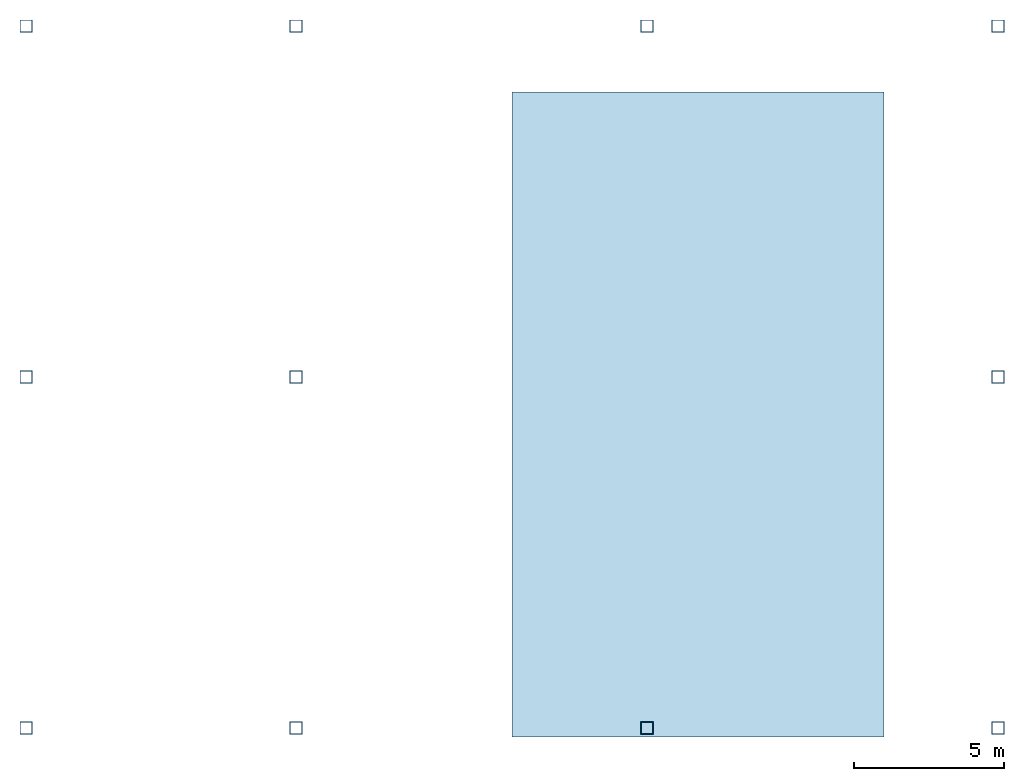
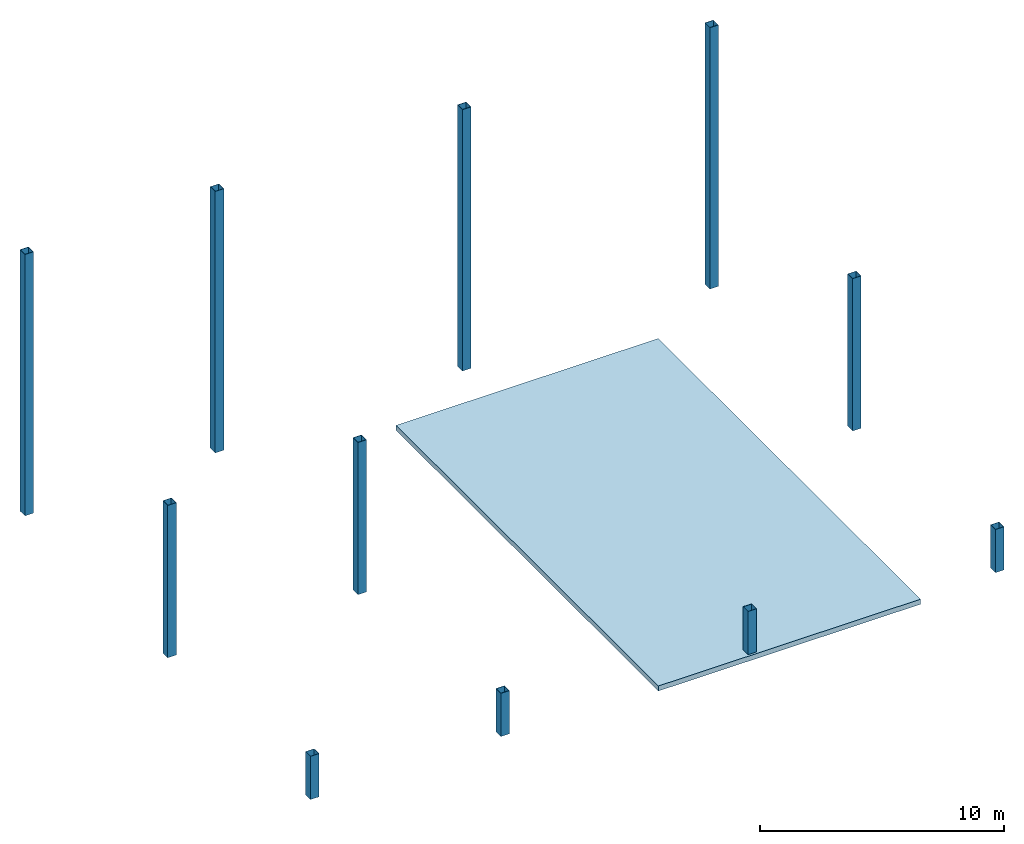
# One storey: 11 columns, 1 slab.
"""IFC4 building model written with IfcOpenShell, lengths in metres."""

from ifc_helpers import new_model, si_unit, direction, frame, origin, origin_2d, place, context, subcontext, project, spatial, polyline, hollow_rectangle, outline, extrude, material, layer, layer_set, material_profile, profile_set, type_object, element, save


model = new_model("IFC4")

# Units and contexts
model_context = context("Model", 3, precision=1e-05, world=origin(), true_north=direction((0.0, 1.0)))
body_context = subcontext(model_context, "Body", "Model", "MODEL_VIEW")
ifc_project = project(units=[si_unit("LENGTHUNIT", "METRE"), si_unit("AREAUNIT", "SQUARE_METRE"), si_unit("VOLUMEUNIT", "CUBIC_METRE"), si_unit("PLANEANGLEUNIT", "RADIAN"), si_unit("MASSUNIT", "GRAM", prefix="KILO")], contexts=[model_context])

# Site, building, storey
site_placement = place(None, origin())
site = spatial("IfcSite", under=ifc_project, at=site_placement, CompositionType="ELEMENT")
building_placement = place(site_placement, origin())
building = spatial("IfcBuilding", under=site, at=building_placement, Name="Tessera Arch", CompositionType="ELEMENT")
storey_placement = place(building_placement, frame((0.0, 0.0, 329.050048828125)))
storey = spatial("IfcBuildingStorey", under=building, at=storey_placement, Name="UPPER ROOF", CompositionType="ELEMENT", Elevation=329.050048828125)

# Columns
ifc_material_1 = material(Name="Steel A500 Gr C", Category="steel")
ifc_material_profile = material_profile(ifc_material_1, hollow_rectangle(XDim=0.406494140625, YDim=0.406494140625, WallThickness=0.0146484375, at=origin_2d()), Name="HSS16x16x5/8")
ifc_profile_set = profile_set([ifc_material_profile], Name="Steel A500 Gr C")
column_type = type_object("IfcColumnType", Name="Crown column HSS16x16x5/8", PredefinedType="COLUMN", material=ifc_profile_set)
column_1_placement = place(storey_placement, frame((19.800048828125, 28.800048828125, 0.0), z_axis=(0.0, 0.0, 1.0), x_axis=(1.0, 0.0, 0.0)))
element("IfcColumn", 1, at=column_1_placement, inside=storey, type_object=column_type, Name="Crown column CC11", PredefinedType="COLUMN", context=body_context, shape_type="SweptSolid", body=[
    extrude(hollow_rectangle(XDim=0.406494140625, YDim=0.406494140625, WallThickness=0.0146484375, at=origin_2d()), origin(), (0.0, 0.0, 1.0), 2.160400390625),
])
column_2_placement = place(storey_placement, frame((19.800048828125, 40.5, 0.0), z_axis=(0.0, 0.0, 1.0), x_axis=(1.0, 0.0, 0.0)))
element("IfcColumn", 2, at=column_2_placement, inside=storey, type_object=column_type, Name="Crown column CC12", PredefinedType="COLUMN", context=body_context, shape_type="SweptSolid", body=[
    extrude(hollow_rectangle(XDim=0.406494140625, YDim=0.406494140625, WallThickness=0.0146484375, at=origin_2d()), origin(), (0.0, 0.0, 1.0), 7.6162109375),
])
column_3_placement = place(storey_placement, frame((19.800048828125, 52.199951171875, 0.0), z_axis=(0.0, 0.0, 1.0), x_axis=(1.0, 0.0, 0.0)))
element("IfcColumn", 3, at=column_3_placement, inside=storey, type_object=column_type, Name="Crown column CC13", PredefinedType="COLUMN", context=body_context, shape_type="SweptSolid", body=[
    extrude(hollow_rectangle(XDim=0.406494140625, YDim=0.406494140625, WallThickness=0.0146484375, at=origin_2d()), origin(), (0.0, 0.0, 1.0), 13.072021484375),
])
column_4_placement = place(storey_placement, frame((28.800048828125, 28.800048828125, 0.0), z_axis=(0.0, 0.0, 1.0), x_axis=(1.0, 0.0, 0.0)))
element("IfcColumn", 4, at=column_4_placement, inside=storey, type_object=column_type, Name="Crown column CC21", PredefinedType="COLUMN", context=body_context, shape_type="SweptSolid", body=[
    extrude(hollow_rectangle(XDim=0.406494140625, YDim=0.406494140625, WallThickness=0.0146484375, at=origin_2d()), origin(), (0.0, 0.0, 1.0), 2.160400390625),
])
column_5_placement = place(storey_placement, frame((28.800048828125, 40.5, 0.0), z_axis=(0.0, 0.0, 1.0), x_axis=(1.0, 0.0, 0.0)))
element("IfcColumn", 5, at=column_5_placement, inside=storey, type_object=column_type, Name="Crown column CC22", PredefinedType="COLUMN", context=body_context, shape_type="SweptSolid", body=[
    extrude(hollow_rectangle(XDim=0.406494140625, YDim=0.406494140625, WallThickness=0.0146484375, at=origin_2d()), origin(), (0.0, 0.0, 1.0), 7.6162109375),
])
column_6_placement = place(storey_placement, frame((28.800048828125, 52.199951171875, 0.0), z_axis=(0.0, 0.0, 1.0), x_axis=(1.0, 0.0, 0.0)))
element("IfcColumn", 6, at=column_6_placement, inside=storey, type_object=column_type, Name="Crown column CC23", PredefinedType="COLUMN", context=body_context, shape_type="SweptSolid", body=[
    extrude(hollow_rectangle(XDim=0.406494140625, YDim=0.406494140625, WallThickness=0.0146484375, at=origin_2d()), origin(), (0.0, 0.0, 1.0), 13.072021484375),
])
column_7_placement = place(storey_placement, frame((40.5, 28.800048828125, 0.0), z_axis=(0.0, 0.0, 1.0), x_axis=(1.0, 0.0, 0.0)))
element("IfcColumn", 7, at=column_7_placement, inside=storey, type_object=column_type, Name="Crown column CC31", PredefinedType="COLUMN", context=body_context, shape_type="SweptSolid", body=[
    extrude(hollow_rectangle(XDim=0.406494140625, YDim=0.406494140625, WallThickness=0.0146484375, at=origin_2d()), origin(), (0.0, 0.0, 1.0), 2.160400390625),
])
column_8_placement = place(storey_placement, frame((40.5, 52.199951171875, 0.0), z_axis=(0.0, 0.0, 1.0), x_axis=(1.0, 0.0, 0.0)))
element("IfcColumn", 8, at=column_8_placement, inside=storey, type_object=column_type, Name="Crown column CC33", PredefinedType="COLUMN", context=body_context, shape_type="SweptSolid", body=[
    extrude(hollow_rectangle(XDim=0.406494140625, YDim=0.406494140625, WallThickness=0.0146484375, at=origin_2d()), origin(), (0.0, 0.0, 1.0), 13.072021484375),
])
column_9_placement = place(storey_placement, frame((52.199951171875, 28.800048828125, 0.0), z_axis=(0.0, 0.0, 1.0), x_axis=(1.0, 0.0, 0.0)))
element("IfcColumn", 9, at=column_9_placement, inside=storey, type_object=column_type, Name="Crown column CC41", PredefinedType="COLUMN", context=body_context, shape_type="SweptSolid", body=[
    extrude(hollow_rectangle(XDim=0.406494140625, YDim=0.406494140625, WallThickness=0.0146484375, at=origin_2d()), origin(), (0.0, 0.0, 1.0), 2.160400390625),
])
column_10_placement = place(storey_placement, frame((52.199951171875, 40.5, 0.0), z_axis=(0.0, 0.0, 1.0), x_axis=(1.0, 0.0, 0.0)))
element("IfcColumn", 10, at=column_10_placement, inside=storey, type_object=column_type, Name="Crown column CC42", PredefinedType="COLUMN", context=body_context, shape_type="SweptSolid", body=[
    extrude(hollow_rectangle(XDim=0.406494140625, YDim=0.406494140625, WallThickness=0.0146484375, at=origin_2d()), origin(), (0.0, 0.0, 1.0), 7.6162109375),
])
column_11_placement = place(storey_placement, frame((52.199951171875, 52.199951171875, 0.0), z_axis=(0.0, 0.0, 1.0), x_axis=(1.0, 0.0, 0.0)))
element("IfcColumn", 11, at=column_11_placement, inside=storey, type_object=column_type, Name="Crown column CC43", PredefinedType="COLUMN", context=body_context, shape_type="SweptSolid", body=[
    extrude(hollow_rectangle(XDim=0.406494140625, YDim=0.406494140625, WallThickness=0.0146484375, at=origin_2d()), origin(), (0.0, 0.0, 1.0), 13.072021484375),
])

# Slab
ifc_material_2 = material(Name="Concrete C40/50", Category="concrete")
ifc_layer = layer(ifc_material_2, 0.25)
ifc_layer_set = layer_set([ifc_layer], Name="Overrun roof slab")
slab_type = type_object("IfcSlabType", Name="Overrun roof slab", PredefinedType="ROOF", material=ifc_layer_set)
slab_placement = place(storey_placement, frame((0.0, 0.0, -0.25)))
element("IfcSlab", 12, at=slab_placement, inside=storey, type_object=slab_type, Name="Lift overrun and stair head-house roof", PredefinedType="ROOF", context=body_context, shape_type="SweptSolid", body=[
    extrude(outline(polyline([(36.0, 28.5), (48.39990234375, 28.5), (48.39990234375, 50.0), (36.0, 50.0), (36.0, 28.5)])), origin(), (0.0, 0.0, 1.0), 0.25),
])

save(model, "model.ifc")
